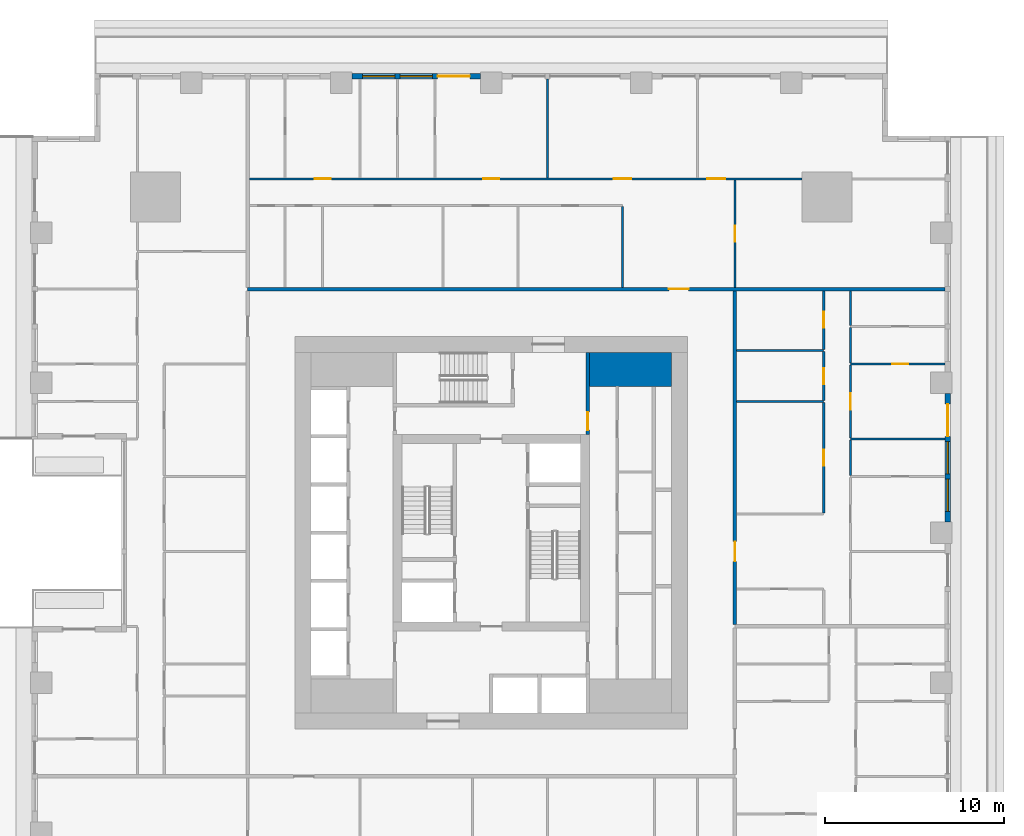
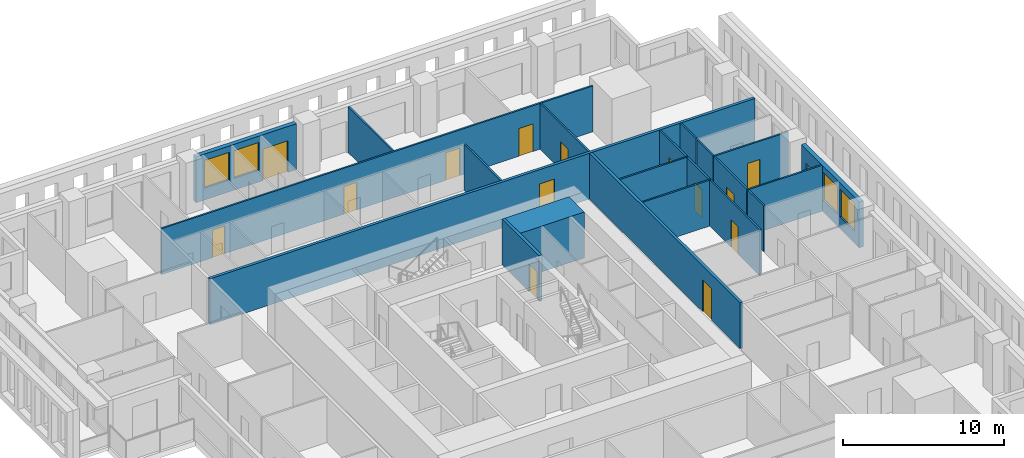
# One storey, part 8 of 14: 21 walls, 15 doors, 4 windows, 19 openings.
"""IFC4 building model written with IfcOpenShell, lengths in metres."""

import ifcopenshell
import ifcopenshell.guid

model = None  # the IFC model being written
_history = None  # IfcOwnerHistory: only IFC2X3 demands one
_inside = {}  # id of a spatial element -> (the spatial element, [elements in it])
_under = {}  # id of a project, library or spatial element -> (it, [spatial elements below it])
_declared = {}  # id of a project -> (the project, [libraries it declares])
_typed = {}  # id of a type object -> (the type object, [elements of that type])
_made_of = {}  # id of a material, layer set ... -> (it, [elements and type objects made of it])


def new_model(schema):
    """Start an empty IFC model of exactly this schema.

    Asked for "IFC4X3", IfcOpenShell would pick the latest addendum, in which some entities
    have other attributes; the version numbers below select the first issue.
    IFC2X3 requires an IfcOwnerHistory on every rooted entity: one is made here for all.
    """
    global model, _history
    if schema == "IFC4X3":
        model = ifcopenshell.file(schema_version=(4, 3, 0, 0))
    else:
        model = ifcopenshell.file(schema=schema)
    _inside.clear()
    _under.clear()
    _declared.clear()
    _typed.clear()
    _made_of.clear()
    _history = None
    if model.schema == "IFC2X3":
        org = make("IfcOrganization", Name="unknown")
        user = make(
            "IfcPersonAndOrganization",
            ThePerson=make("IfcPerson", FamilyName="unknown"),
            TheOrganization=org,
        )
        app = make(
            "IfcApplication",
            ApplicationDeveloper=org,
            Version="unknown",
            ApplicationFullName="unknown",
            ApplicationIdentifier="unknown",
        )
        _history = make(
            "IfcOwnerHistory",
            OwningUser=user,
            OwningApplication=app,
            ChangeAction="ADDED",
            CreationDate=0,
        )
    return model


def make(cls, **values):
    """One entity of the class cls with the attributes given. An attribute that is None is left unset."""
    return model.create_entity(
        cls, **{name: value for name, value in values.items() if value is not None}
    )


def rooted(cls, **values):
    """An entity with a GlobalId (a new one), such as an element, a storey or a relation."""
    return make(cls, GlobalId=ifcopenshell.guid.new(), OwnerHistory=_history, **values)


def si_unit(unit_type, name, prefix=None):
    """IfcSIUnit, for example si_unit("LENGTHUNIT", "METRE", prefix="MILLI")."""
    return make("IfcSIUnit", UnitType=unit_type, Prefix=prefix, Name=name)


def assignment(units):
    """IfcUnitAssignment: the units of a project."""
    return None if units is None else make("IfcUnitAssignment", Units=units)


def point(xyz):
    """IfcCartesianPoint."""
    return None if xyz is None else make("IfcCartesianPoint", Coordinates=xyz)


def direction(xyz):
    """IfcDirection."""
    return None if xyz is None else make("IfcDirection", DirectionRatios=xyz)


def frame(location, z_axis=None, x_axis=None):
    """IfcAxis2Placement3D, a coordinate frame: its origin and axes. An axis left out is left unset."""
    return make(
        "IfcAxis2Placement3D",
        Location=point(location),
        Axis=direction(z_axis),
        RefDirection=direction(x_axis),
    )


def frame_2d(location, x_axis=None):
    """IfcAxis2Placement2D, a coordinate frame in the plane: its origin and x axis."""
    return make(
        "IfcAxis2Placement2D", Location=point(location), RefDirection=direction(x_axis)
    )


def origin():
    """The frame at (0, 0, 0) with its axes left unset."""
    return frame((0.0, 0.0, 0.0))


def place(relative_to, where):
    """IfcLocalPlacement: puts the frame where relative to a parent placement (None: the world)."""
    return make(
        "IfcLocalPlacement", PlacementRelTo=relative_to, RelativePlacement=where
    )


def context(
    kind, dimensions, precision=None, world=None, true_north=None, identifier=None
):
    """IfcGeometricRepresentationContext, for example the 3D "Model" context."""
    return make(
        "IfcGeometricRepresentationContext",
        ContextIdentifier=identifier,
        ContextType=kind,
        CoordinateSpaceDimension=dimensions,
        Precision=precision,
        WorldCoordinateSystem=world,
        TrueNorth=true_north,
    )


def subcontext(parent, identifier, kind, view, scale=None):
    """IfcGeometricRepresentationSubContext, for example "Body" below "Model"."""
    return make(
        "IfcGeometricRepresentationSubContext",
        ContextIdentifier=identifier,
        ContextType=kind,
        ParentContext=parent,
        TargetScale=scale,
        TargetView=view,
    )


def project(units=None, contexts=None):
    """IfcProject with its units and contexts."""
    return rooted(
        "IfcProject",
        Name="project",
        RepresentationContexts=contexts,
        UnitsInContext=assignment(units),
    )


def spatial(cls, under=None, at=None, **own):
    """A site, building, storey or space (cls), placed at a placement, below another one or the project."""
    s = rooted(cls, ObjectPlacement=at, **own)
    if under is not None:
        _under.setdefault(under.id(), (under, []))[1].append(s)
    return s


def profile(cls, at=None, kind="AREA", **sizes):
    """A parametric profile (cls). Its sizes go by their IFC names, for example OverallWidth=200.0."""
    return make(cls, ProfileType=kind, Position=at, **sizes)


def rectangle(**sizes):
    """IfcRectangleProfileDef."""
    return profile("IfcRectangleProfileDef", **sizes)


def extrude(swept, where, along, depth):
    """IfcExtrudedAreaSolid: the profile swept, set in the frame where, extruded along a direction by depth."""
    return make(
        "IfcExtrudedAreaSolid",
        SweptArea=swept,
        Position=where,
        ExtrudedDirection=direction(along),
        Depth=depth,
    )


def shape(context_of_items, identifier, shape_type, items):
    """IfcShapeRepresentation: the items that make up one representation, for example the "Body"."""
    return make(
        "IfcShapeRepresentation",
        ContextOfItems=context_of_items,
        RepresentationIdentifier=identifier,
        RepresentationType=shape_type,
        Items=items,
    )


def material(Name=None, Category=None):
    """IfcMaterial."""
    return make("IfcMaterial", Name=Name, Category=Category)


def layer(
    of_material, thickness, ventilated=None, Name=None, Category=None, Priority=None
):
    """IfcMaterialLayer: one layer of a wall or slab, of a material (None: an air gap)."""
    return make(
        "IfcMaterialLayer",
        Material=of_material,
        LayerThickness=thickness,
        IsVentilated=ventilated,
        Name=Name,
        Category=Category,
        Priority=Priority,
    )


def layer_set(layers, Name=None):
    """IfcMaterialLayerSet."""
    return make("IfcMaterialLayerSet", MaterialLayers=layers, LayerSetName=Name)


def made_of(thing, what):
    """Note that an element or type object is made of a material, layer set ...; save() writes the relation."""
    if what is not None:
        _made_of.setdefault(what.id(), (what, []))[1].append(thing)
    return thing


def type_object(cls, material=None, **own):
    """A type object (cls), such as IfcWallType, which elements share."""
    return made_of(rooted(cls, **own), material)


def element(
    cls,
    number,
    at=None,
    inside=None,
    cuts=None,
    type_object=None,
    material=None,
    context=None,
    identifier="Body",
    shape_type=None,
    held_by="IfcProductDefinitionShape",
    body=None,
    shapes=None,
    **own,
):
    """One element of the class cls, such as IfcWall. Its Tag is "e" and its number.

    at: its placement. inside: the storey or other place that contains it. cuts: it is an
    opening in that element (IfcRelVoidsElement). A single representation is given by context,
    identifier, shape_type and body (its items); several are given by shapes. held_by: the class
    of the entity that holds the representations. save() writes the other relations.
    """
    e = rooted(cls, Tag="e%d" % number, ObjectPlacement=at, **own)
    if body is not None:
        shapes = [shape(context, identifier, shape_type, body)]
    if shapes is not None:
        e.Representation = make(held_by, Representations=shapes)
    if inside is not None:
        _inside.setdefault(inside.id(), (inside, []))[1].append(e)
    if cuts is not None:
        rooted(
            "IfcRelVoidsElement", RelatingBuildingElement=cuts, RelatedOpeningElement=e
        )
    if type_object is not None:
        _typed.setdefault(type_object.id(), (type_object, []))[1].append(e)
    return made_of(e, material)


def fill(opening, filler):
    """IfcRelFillsElement: the door or window that sits in an opening."""
    return rooted(
        "IfcRelFillsElement",
        RelatingOpeningElement=opening,
        RelatedBuildingElement=filler,
    )


def aggregate(whole, parts):
    """IfcRelAggregates: a whole, such as a stair, and the parts it consists of."""
    return rooted("IfcRelAggregates", RelatingObject=whole, RelatedObjects=parts)


def save(model, path):
    """Write the relations noted so far, then the file.

    IfcRelAggregates (storeys below a building ...), IfcRelContainedInSpatialStructure (elements
    in a storey), IfcRelDefinesByType, IfcRelAssociatesMaterial and IfcRelDeclares: one each for
    every whole, place, type object, material and project.
    """
    for whole, parts in _under.values():
        aggregate(whole, parts)
    for where, things in _inside.values():
        rooted(
            "IfcRelContainedInSpatialStructure",
            RelatedElements=things,
            RelatingStructure=where,
        )
    for kind, things in _typed.values():
        rooted("IfcRelDefinesByType", RelatedObjects=things, RelatingType=kind)
    for what, things in _made_of.values():
        rooted("IfcRelAssociatesMaterial", RelatedObjects=things, RelatingMaterial=what)
    for by, libraries in _declared.values():
        rooted("IfcRelDeclares", RelatingContext=by, RelatedDefinitions=libraries)
    model.write(path)


model = new_model("IFC4")

# Units and contexts
model_context = context("Model", 3, precision=1e-05, world=origin(), true_north=direction((0.0, 1.0)))
body_context = subcontext(model_context, "Body", "Model", "MODEL_VIEW")
ifc_project = project(units=[si_unit("LENGTHUNIT", "METRE"), si_unit("AREAUNIT", "SQUARE_METRE"), si_unit("VOLUMEUNIT", "CUBIC_METRE"), si_unit("PLANEANGLEUNIT", "RADIAN"), si_unit("MASSUNIT", "GRAM", prefix="KILO")], contexts=[model_context])

# Site, building, storey
site_placement = place(None, origin())
site = spatial("IfcSite", under=ifc_project, at=site_placement, CompositionType="ELEMENT")
building_placement = place(site_placement, origin())
building = spatial("IfcBuilding", under=site, at=building_placement, Name="Khepri Terraces", CompositionType="ELEMENT")
storey_placement = place(building_placement, frame((0.0, 0.0, 87.0)))
storey = spatial("IfcBuildingStorey", under=building, at=storey_placement, Name="L20", CompositionType="ELEMENT", Elevation=87.0)

# Wall
ifc_material_1 = material(Name="Concrete C70/85", Category="concrete")
ifc_layer_1 = layer(ifc_material_1, 1.89990234375, Name="Concrete C70/85", Category="concrete")
ifc_layer_set_1 = layer_set([ifc_layer_1], Name="Concrete C70/85")
wall_type_1 = type_object("IfcWallType", Name="Core wall 1900 C70/85", PredefinedType="SHEAR", material=ifc_layer_set_1)
wall_1_placement = place(storey_placement, frame((5.5, 9.14990234375, 0.0), z_axis=(0.0, 0.0, 1.0), x_axis=(1.0, 0.0, 0.0)))
element("IfcWall", 1, at=wall_1_placement, inside=storey, type_object=wall_type_1, Name="Core wall PR04 L20", PredefinedType="SHEAR", context=body_context, shape_type="SweptSolid", body=[
    extrude(rectangle(XDim=4.60009765625, YDim=1.89990234375, at=frame_2d((2.300048828125, 0.0))), origin(), (0.0, 0.0, 1.0), 3.47998046875),
])

# Wall, opening, door
ifc_material_2 = material(Name="Fire-rated gypsum board partition")
ifc_layer_2 = layer(ifc_material_2, 0.199951171875, Name="Fire-rated gypsum board partition")
ifc_layer_set_2 = layer_set([ifc_layer_2], Name="Fire-rated gypsum board partition")
wall_type_2 = type_object("IfcWallType", Name="WL-CORE-PART-200", PredefinedType="PARTITIONING", material=ifc_layer_set_2)
wall_2_placement = place(storey_placement, frame((5.39990234375, 5.5, 0.0), z_axis=(0.0, 0.0, 1.0), x_axis=(0.0, 1.0, 0.0)))
wall_2 = element("IfcWall", 2, at=wall_2_placement, inside=storey, type_object=wall_type_2, Name="Core partition PT08 L20", PredefinedType="PARTITIONING", context=body_context, shape_type="SweptSolid", body=[
    extrude(rectangle(XDim=4.60009765625, YDim=0.199951171875, at=frame_2d((2.300048828125, 0.0))), origin(), (0.0, 0.0, 1.0), 3.47998046875),
])
opening_1_placement = place(wall_2_placement, frame((0.25, 0.0, 0.0)))
opening_1 = element("IfcOpeningElement", 3, at=opening_1_placement, cuts=wall_2, Name="Opening L20-C17", PredefinedType="OPENING", context=body_context, shape_type="SweptSolid", body=[
    extrude(rectangle(XDim=1.0, YDim=2.10009765625, at=frame_2d((0.5, 1.050048828125))), frame((0.0, 0.10986328125, 0.0), z_axis=(0.0, -1.0, 0.0), x_axis=(1.0, 0.0, 0.0)), (0.0, 0.0, 1.0), 0.219970703125),
])
ifc_material_3 = material(Name="Painted steel", Category="steel")
door_type_1 = type_object("IfcDoorType", Name="DR-CORE-LOBBY-1000", OperationType="NOTDEFINED", PredefinedType="DOOR", material=ifc_material_3)
door_1_placement = place(opening_1_placement, origin())
door_1 = element("IfcDoor", 4, at=door_1_placement, inside=storey, type_object=door_type_1, Name="Lobby door L20-C17", OperationType="SINGLE_SWING_LEFT", OverallHeight=2.10009765625, OverallWidth=1.0, PredefinedType="DOOR", context=body_context, shape_type="SweptSolid", body=[
    extrude(rectangle(XDim=1.0, YDim=2.10009765625, at=frame_2d((0.5, 1.050048828125))), frame((0.0, 0.02490234375, 0.0), z_axis=(0.0, -1.0, 0.0), x_axis=(1.0, 0.0, 0.0)), (0.0, 0.0, 1.0), 0.050048828125),
])
fill(opening_1, door_1)

ifc_material_4 = material(Name="Fire-rated gypsum plasterboard partition, mineral wool")
ifc_layer_3 = layer(ifc_material_4, 0.199951171875, Name="Fire-rated gypsum plasterboard partition, mineral wool")
ifc_layer_set_3 = layer_set([ifc_layer_3], Name="Fire-rated gypsum plasterboard partition, mineral wool")
wall_type_3 = type_object("IfcWallType", Name="WL-CORR-200", PredefinedType="PARTITIONING", material=ifc_layer_set_3)
wall_3_placement = place(storey_placement, frame((13.64990234375, -5.14990234375, 0.0), z_axis=(0.0, 0.0, 1.0), x_axis=(0.0, 1.0, 0.0)))
wall_3 = element("IfcWall", 5, at=wall_3_placement, inside=storey, type_object=wall_type_3, Name="Partition P-042 L20", PredefinedType="PARTITIONING", context=body_context, shape_type="SweptSolid", body=[
    extrude(rectangle(XDim=18.699951171875, YDim=0.199951171875, at=frame_2d((9.35009765625, 0.0))), origin(), (0.0, 0.0, 1.0), 3.47998046875),
])
opening_2_placement = place(wall_3_placement, frame((3.550048828125, 0.0, 0.0)))
opening_2 = element("IfcOpeningElement", 6, at=opening_2_placement, cuts=wall_3, Name="Opening D1", PredefinedType="OPENING", context=body_context, shape_type="SweptSolid", body=[
    extrude(rectangle(XDim=1.10009765625, YDim=2.39990234375, at=frame_2d((0.550048828125, 1.199951171875))), frame((0.0, 0.10986328125, 0.0), z_axis=(0.0, -1.0, 0.0), x_axis=(1.0, 0.0, 0.0)), (0.0, 0.0, 1.0), 0.219970703125),
])
ifc_material_5 = material(Name="Solid-core timber door leaf, flat entrance door", Category="wood")
door_type_2 = type_object("IfcDoorType", Name="DR-ENT-1100", OperationType="NOTDEFINED", PredefinedType="DOOR", material=ifc_material_5)
door_2_placement = place(opening_2_placement, frame((1.10009765625, 0.0, 0.0), z_axis=(0.0, 0.0, 1.0), x_axis=(-1.0, 0.0, 0.0)))
door_2 = element("IfcDoor", 7, at=door_2_placement, inside=storey, type_object=door_type_2, Name="Flat B2 entrance door", OperationType="SINGLE_SWING_RIGHT", OverallHeight=2.39990234375, OverallWidth=1.10009765625, PredefinedType="DOOR", context=body_context, shape_type="SweptSolid", body=[
    extrude(rectangle(XDim=1.10009765625, YDim=2.39990234375, at=frame_2d((0.550048828125, 1.199951171875))), frame((0.0, 0.02490234375, 0.0), z_axis=(0.0, -1.0, 0.0), x_axis=(1.0, 0.0, 0.0)), (0.0, 0.0, 1.0), 0.050048828125),
])
fill(opening_2, door_2)

wall_4_placement = place(storey_placement, frame((-13.64990234375, 13.64990234375, 0.0), z_axis=(0.0, 0.0, 1.0), x_axis=(1.0, 0.0, 0.0)))
wall_4 = element("IfcWall", 8, at=wall_4_placement, inside=storey, type_object=wall_type_3, Name="Partition P-074 L20", PredefinedType="PARTITIONING", context=body_context, shape_type="SweptSolid", body=[
    extrude(rectangle(XDim=39.06982421875, YDim=0.199951171875, at=frame_2d((19.534912109375, 0.0))), origin(), (0.0, 0.0, 1.0), 3.47998046875),
])
opening_3_placement = place(wall_4_placement, frame((23.60009765625, 0.0, 0.0)))
opening_3 = element("IfcOpeningElement", 9, at=opening_3_placement, cuts=wall_4, Name="Opening D1", PredefinedType="OPENING", context=body_context, shape_type="SweptSolid", body=[
    extrude(rectangle(XDim=1.10009765625, YDim=2.39990234375, at=frame_2d((0.550048828125, 1.199951171875))), frame((0.0, 0.10986328125, 0.0), z_axis=(0.0, -1.0, 0.0), x_axis=(1.0, 0.0, 0.0)), (0.0, 0.0, 1.0), 0.219970703125),
])
door_3_placement = place(opening_3_placement, origin())
door_3 = element("IfcDoor", 10, at=door_3_placement, inside=storey, type_object=door_type_2, Name="Flat C1 entrance door", OperationType="SINGLE_SWING_RIGHT", OverallHeight=2.39990234375, OverallWidth=1.10009765625, PredefinedType="DOOR", context=body_context, shape_type="SweptSolid", body=[
    extrude(rectangle(XDim=1.10009765625, YDim=2.39990234375, at=frame_2d((0.550048828125, 1.199951171875))), frame((0.0, 0.02490234375, 0.0), z_axis=(0.0, -1.0, 0.0), x_axis=(1.0, 0.0, 0.0)), (0.0, 0.0, 1.0), 0.050048828125),
])
fill(opening_3, door_3)

# Wall, openings, door, windows
ifc_material_6 = material(Name="Precast concrete C50/60 warm stone", Category="masonry")
ifc_layer_4 = layer(ifc_material_6, 0.300048828125, Name="Precast concrete C50/60 warm stone", Category="masonry")
ifc_layer_set_4 = layer_set([ifc_layer_4], Name="Precast concrete C50/60 warm stone")
wall_type_4 = type_object("IfcWallType", Name="WL-EXT-PRECAST-300", PredefinedType="STANDARD", material=ifc_layer_set_4)
wall_5_placement = place(storey_placement, frame((25.570068359375, 0.60009765625, 0.0), z_axis=(0.0, 0.0, 1.0), x_axis=(0.0, 1.0, 0.0)))
wall_5 = element("IfcWall", 11, at=wall_5_placement, inside=storey, type_object=wall_type_4, Name="External wall L20 E", PredefinedType="STANDARD", context=body_context, shape_type="SweptSolid", body=[
    extrude(rectangle(XDim=7.199951171875, YDim=0.300048828125, at=frame_2d((3.60009765625, 0.0))), origin(), (0.0, 0.0, 1.0), 3.47998046875),
])
opening_4_placement = place(wall_5_placement, frame((0.60009765625, 0.0, 0.89990234375)))
opening_4 = element("IfcOpeningElement", 12, at=opening_4_placement, cuts=wall_5, Name="Opening W1", PredefinedType="OPENING", context=body_context, shape_type="SweptSolid", body=[
    extrude(rectangle(XDim=1.800048828125, YDim=2.10009765625, at=frame_2d((0.89990234375, 1.050048828125))), frame((0.0, 0.16015625, 0.0), z_axis=(0.0, -1.0, 0.0), x_axis=(1.0, 0.0, 0.0)), (0.0, 0.0, 1.0), 0.320068359375),
])
opening_5_placement = place(wall_5_placement, frame((2.699951171875, 0.0, 0.89990234375)))
opening_5 = element("IfcOpeningElement", 13, at=opening_5_placement, cuts=wall_5, Name="Opening W1", PredefinedType="OPENING", context=body_context, shape_type="SweptSolid", body=[
    extrude(rectangle(XDim=1.800048828125, YDim=2.10009765625, at=frame_2d((0.89990234375, 1.050048828125))), frame((0.0, 0.16015625, 0.0), z_axis=(0.0, -1.0, 0.0), x_axis=(1.0, 0.0, 0.0)), (0.0, 0.0, 1.0), 0.320068359375),
])
opening_6_placement = place(wall_5_placement, frame((4.800048828125, 0.0, 0.0)))
opening_6 = element("IfcOpeningElement", 14, at=opening_6_placement, cuts=wall_5, Name="Opening ED-L20-05", PredefinedType="OPENING", context=body_context, shape_type="SweptSolid", body=[
    extrude(rectangle(XDim=1.800048828125, YDim=2.39990234375, at=frame_2d((0.89990234375, 1.199951171875))), frame((0.0, 0.16015625, 0.0), z_axis=(0.0, -1.0, 0.0), x_axis=(1.0, 0.0, 0.0)), (0.0, 0.0, 1.0), 0.320068359375),
])
ifc_material_7 = material(Name="Anodised aluminium bronze glazed door", Category="aluminium")
door_type_3 = type_object("IfcDoorType", Name="DR-BAL-SLIDE-1800x2400", OperationType="NOTDEFINED", PredefinedType="DOOR", material=ifc_material_7)
door_4_placement = place(opening_6_placement, origin())
door_4 = element("IfcDoor", 15, at=door_4_placement, inside=storey, type_object=door_type_3, Name="Balcony door L20 E", OperationType="SLIDING_TO_RIGHT", OverallHeight=2.39990234375, OverallWidth=1.800048828125, PredefinedType="DOOR", context=body_context, shape_type="SweptSolid", body=[
    extrude(rectangle(XDim=1.800048828125, YDim=2.39990234375, at=frame_2d((0.89990234375, 1.199951171875))), frame((0.0, 0.02490234375, 0.0), z_axis=(0.0, -1.0, 0.0), x_axis=(1.0, 0.0, 0.0)), (0.0, 0.0, 1.0), 0.050048828125),
])
fill(opening_6, door_4)
ifc_material_8 = material(Name="Clear glass", Category="glass")
window_type = type_object("IfcWindowType", Name="WIN-RES-1800x2100", PartitioningType="SINGLE_PANEL", PredefinedType="WINDOW", material=ifc_material_8)
window_1_placement = place(opening_4_placement, origin())
window_1 = element("IfcWindow", 16, at=window_1_placement, inside=storey, type_object=window_type, Name="Window L20 E", OverallHeight=2.10009765625, OverallWidth=1.800048828125, PartitioningType="SINGLE_PANEL", PredefinedType="WINDOW", context=body_context, shape_type="SweptSolid", body=[
    extrude(rectangle(XDim=1.800048828125, YDim=2.10009765625, at=frame_2d((0.89990234375, 1.050048828125))), frame((0.0, 0.030029296875, 0.0), z_axis=(0.0, -1.0, 0.0), x_axis=(1.0, 0.0, 0.0)), (0.0, 0.0, 1.0), 0.06005859375),
])
fill(opening_4, window_1)
window_2_placement = place(opening_5_placement, origin())
window_2 = element("IfcWindow", 17, at=window_2_placement, inside=storey, type_object=window_type, Name="Window L20 E", OverallHeight=2.10009765625, OverallWidth=1.800048828125, PartitioningType="SINGLE_PANEL", PredefinedType="WINDOW", context=body_context, shape_type="SweptSolid", body=[
    extrude(rectangle(XDim=1.800048828125, YDim=2.10009765625, at=frame_2d((0.89990234375, 1.050048828125))), frame((0.0, 0.030029296875, 0.0), z_axis=(0.0, -1.0, 0.0), x_axis=(1.0, 0.0, 0.0)), (0.0, 0.0, 1.0), 0.06005859375),
])
fill(opening_5, window_2)

wall_6_placement = place(storey_placement, frame((-0.60009765625, 25.570068359375, 0.0), z_axis=(0.0, 0.0, 1.0), x_axis=(-1.0, 0.0, 0.0)))
wall_6 = element("IfcWall", 18, at=wall_6_placement, inside=storey, type_object=wall_type_4, Name="External wall L20 N", PredefinedType="STANDARD", context=body_context, shape_type="SweptSolid", body=[
    extrude(rectangle(XDim=7.199951171875, YDim=0.300048828125, at=frame_2d((3.60009765625, 0.0))), origin(), (0.0, 0.0, 1.0), 3.47998046875),
])
opening_7_placement = place(wall_6_placement, frame((0.60009765625, 0.0, 0.0)))
opening_7 = element("IfcOpeningElement", 19, at=opening_7_placement, cuts=wall_6, Name="Opening ED-L20-12", PredefinedType="OPENING", context=body_context, shape_type="SweptSolid", body=[
    extrude(rectangle(XDim=1.800048828125, YDim=2.39990234375, at=frame_2d((0.89990234375, 1.199951171875))), frame((0.0, 0.16015625, 0.0), z_axis=(0.0, -1.0, 0.0), x_axis=(1.0, 0.0, 0.0)), (0.0, 0.0, 1.0), 0.320068359375),
])
opening_8_placement = place(wall_6_placement, frame((2.699951171875, 0.0, 0.89990234375)))
opening_8 = element("IfcOpeningElement", 20, at=opening_8_placement, cuts=wall_6, Name="Opening W1", PredefinedType="OPENING", context=body_context, shape_type="SweptSolid", body=[
    extrude(rectangle(XDim=1.800048828125, YDim=2.10009765625, at=frame_2d((0.89990234375, 1.050048828125))), frame((0.0, 0.16015625, 0.0), z_axis=(0.0, -1.0, 0.0), x_axis=(1.0, 0.0, 0.0)), (0.0, 0.0, 1.0), 0.320068359375),
])
opening_9_placement = place(wall_6_placement, frame((4.800048828125, 0.0, 0.89990234375)))
opening_9 = element("IfcOpeningElement", 21, at=opening_9_placement, cuts=wall_6, Name="Opening W1", PredefinedType="OPENING", context=body_context, shape_type="SweptSolid", body=[
    extrude(rectangle(XDim=1.800048828125, YDim=2.10009765625, at=frame_2d((0.89990234375, 1.050048828125))), frame((0.0, 0.16015625, 0.0), z_axis=(0.0, -1.0, 0.0), x_axis=(1.0, 0.0, 0.0)), (0.0, 0.0, 1.0), 0.320068359375),
])
door_5_placement = place(opening_7_placement, origin())
door_5 = element("IfcDoor", 22, at=door_5_placement, inside=storey, type_object=door_type_3, Name="Balcony door L20 N", OperationType="SLIDING_TO_LEFT", OverallHeight=2.39990234375, OverallWidth=1.800048828125, PredefinedType="DOOR", context=body_context, shape_type="SweptSolid", body=[
    extrude(rectangle(XDim=1.800048828125, YDim=2.39990234375, at=frame_2d((0.89990234375, 1.199951171875))), frame((0.0, 0.02490234375, 0.0), z_axis=(0.0, -1.0, 0.0), x_axis=(1.0, 0.0, 0.0)), (0.0, 0.0, 1.0), 0.050048828125),
])
fill(opening_7, door_5)
window_3_placement = place(opening_8_placement, origin())
window_3 = element("IfcWindow", 23, at=window_3_placement, inside=storey, type_object=window_type, Name="Window L20 N", OverallHeight=2.10009765625, OverallWidth=1.800048828125, PartitioningType="SINGLE_PANEL", PredefinedType="WINDOW", context=body_context, shape_type="SweptSolid", body=[
    extrude(rectangle(XDim=1.800048828125, YDim=2.10009765625, at=frame_2d((0.89990234375, 1.050048828125))), frame((0.0, 0.030029296875, 0.0), z_axis=(0.0, -1.0, 0.0), x_axis=(1.0, 0.0, 0.0)), (0.0, 0.0, 1.0), 0.06005859375),
])
fill(opening_8, window_3)
window_4_placement = place(opening_9_placement, origin())
window_4 = element("IfcWindow", 24, at=window_4_placement, inside=storey, type_object=window_type, Name="Window L20 N", OverallHeight=2.10009765625, OverallWidth=1.800048828125, PartitioningType="SINGLE_PANEL", PredefinedType="WINDOW", context=body_context, shape_type="SweptSolid", body=[
    extrude(rectangle(XDim=1.800048828125, YDim=2.10009765625, at=frame_2d((0.89990234375, 1.050048828125))), frame((0.0, 0.030029296875, 0.0), z_axis=(0.0, -1.0, 0.0), x_axis=(1.0, 0.0, 0.0)), (0.0, 0.0, 1.0), 0.06005859375),
])
fill(opening_9, window_4)

# Wall, opening, door
ifc_material_9 = material(Name="Gypsum plasterboard partition")
ifc_layer_5 = layer(ifc_material_9, 0.1201171875, Name="Gypsum plasterboard partition")
ifc_layer_set_5 = layer_set([ifc_layer_5], Name="Gypsum plasterboard partition")
wall_type_5 = type_object("IfcWallType", Name="WL-PART-120", PredefinedType="PARTITIONING", material=ifc_layer_set_5)
wall_7_placement = place(storey_placement, frame((18.6201171875, 1.110107421875, 0.0), z_axis=(0.0, 0.0, 1.0), x_axis=(0.0, 1.0, 0.0)))
wall_7 = element("IfcWall", 25, at=wall_7_placement, inside=storey, type_object=wall_type_5, Name="Partition P-051 L20", PredefinedType="PARTITIONING", context=body_context, shape_type="SweptSolid", body=[
    extrude(rectangle(XDim=6.179931640625, YDim=0.1201171875, at=frame_2d((3.08984375, 0.0))), origin(), (0.0, 0.0, 1.0), 3.47998046875),
])
opening_10_placement = place(wall_7_placement, frame((2.639892578125, 0.0, 0.0)))
opening_10 = element("IfcOpeningElement", 26, at=opening_10_placement, cuts=wall_7, Name="Opening D3", PredefinedType="OPENING", context=body_context, shape_type="SweptSolid", body=[
    extrude(rectangle(XDim=0.89990234375, YDim=2.10009765625, at=frame_2d((0.449951171875, 1.050048828125))), frame((0.0, 0.070068359375, 0.0), z_axis=(0.0, -1.0, 0.0), x_axis=(1.0, 0.0, 0.0)), (0.0, 0.0, 1.0), 0.14013671875),
])
ifc_material_10 = material(Name="Timber door leaf", Category="wood")
door_type_4 = type_object("IfcDoorType", Name="DR-INT-900", OperationType="NOTDEFINED", PredefinedType="DOOR", material=ifc_material_10)
door_6_placement = place(opening_10_placement, origin())
door_6 = element("IfcDoor", 27, at=door_6_placement, inside=storey, type_object=door_type_4, Name="Door Kitchen", OperationType="SINGLE_SWING_LEFT", OverallHeight=2.10009765625, OverallWidth=0.89990234375, PredefinedType="DOOR", context=body_context, shape_type="SweptSolid", body=[
    extrude(rectangle(XDim=0.89990234375, YDim=2.10009765625, at=frame_2d((0.449951171875, 1.050048828125))), frame((0.0, 0.02490234375, 0.0), z_axis=(0.0, -1.0, 0.0), x_axis=(1.0, 0.0, 0.0)), (0.0, 0.0, 1.0), 0.050048828125),
])
fill(opening_10, door_6)

# Walls
wall_8_placement = place(storey_placement, frame((20.1201171875, 3.2099609375, 0.0), z_axis=(0.0, 0.0, 1.0), x_axis=(0.0, 1.0, 0.0)))
element("IfcWall", 28, at=wall_8_placement, inside=storey, type_object=wall_type_5, Name="Partition P-055 L20", PredefinedType="PARTITIONING", context=body_context, shape_type="SweptSolid", body=[
    extrude(rectangle(XDim=1.97998046875, YDim=0.1201171875, at=frame_2d((0.989990234375, 0.0))), origin(), (0.0, 0.0, 1.0), 3.47998046875),
])
wall_9_placement = place(storey_placement, frame((20.1201171875, 5.25, 0.0), z_axis=(0.0, 0.0, 1.0), x_axis=(1.0, 0.0, 0.0)))
element("IfcWall", 29, at=wall_9_placement, inside=storey, type_object=wall_type_5, Name="Partition P-057 L20", PredefinedType="PARTITIONING", context=body_context, shape_type="SweptSolid", body=[
    extrude(rectangle(XDim=5.2998046875, YDim=0.1201171875, at=frame_2d((2.64990234375, 0.0))), origin(), (0.0, 0.0, 1.0), 3.47998046875),
])

# Wall, opening, door
wall_10_placement = place(storey_placement, frame((20.1201171875, 5.31005859375, 0.0), z_axis=(0.0, 0.0, 1.0), x_axis=(0.0, 1.0, 0.0)))
wall_10 = element("IfcWall", 30, at=wall_10_placement, inside=storey, type_object=wall_type_5, Name="Partition P-059 L20", PredefinedType="PARTITIONING", context=body_context, shape_type="SweptSolid", body=[
    extrude(rectangle(XDim=4.079833984375, YDim=0.1201171875, at=frame_2d((2.0400390625, 0.0))), origin(), (0.0, 0.0, 1.0), 3.47998046875),
])
opening_11_placement = place(wall_10_placement, frame((1.590087890625, 0.0, 0.0)))
opening_11 = element("IfcOpeningElement", 31, at=opening_11_placement, cuts=wall_10, Name="Opening D3", PredefinedType="OPENING", context=body_context, shape_type="SweptSolid", body=[
    extrude(rectangle(XDim=0.89990234375, YDim=2.10009765625, at=frame_2d((0.449951171875, 1.050048828125))), frame((0.0, 0.070068359375, 0.0), z_axis=(0.0, -1.0, 0.0), x_axis=(1.0, 0.0, 0.0)), (0.0, 0.0, 1.0), 0.14013671875),
])
door_7_placement = place(opening_11_placement, frame((0.89990234375, 0.0, 0.0), z_axis=(0.0, 0.0, 1.0), x_axis=(-1.0, 0.0, 0.0)))
door_7 = element("IfcDoor", 32, at=door_7_placement, inside=storey, type_object=door_type_4, Name="Door Master Bedroom", OperationType="SINGLE_SWING_RIGHT", OverallHeight=2.10009765625, OverallWidth=0.89990234375, PredefinedType="DOOR", context=body_context, shape_type="SweptSolid", body=[
    extrude(rectangle(XDim=0.89990234375, YDim=2.10009765625, at=frame_2d((0.449951171875, 1.050048828125))), frame((0.0, 0.02490234375, 0.0), z_axis=(0.0, -1.0, 0.0), x_axis=(1.0, 0.0, 0.0)), (0.0, 0.0, 1.0), 0.050048828125),
])
fill(opening_11, door_7)

# Wall
wall_11_placement = place(storey_placement, frame((13.75, 7.35009765625, 0.0), z_axis=(0.0, 0.0, 1.0), x_axis=(1.0, 0.0, 0.0)))
element("IfcWall", 33, at=wall_11_placement, inside=storey, type_object=wall_type_5, Name="Partition P-061 L20", PredefinedType="PARTITIONING", context=body_context, shape_type="SweptSolid", body=[
    extrude(rectangle(XDim=4.8701171875, YDim=0.1201171875, at=frame_2d((2.43505859375, 0.0))), origin(), (0.0, 0.0, 1.0), 3.47998046875),
])

# Wall, opening, door
wall_12_placement = place(storey_placement, frame((18.6201171875, 7.409912109375, 0.0), z_axis=(0.0, 0.0, 1.0), x_axis=(0.0, 1.0, 0.0)))
wall_12 = element("IfcWall", 34, at=wall_12_placement, inside=storey, type_object=wall_type_5, Name="Partition P-063 L20", PredefinedType="PARTITIONING", context=body_context, shape_type="SweptSolid", body=[
    extrude(rectangle(XDim=2.72998046875, YDim=0.1201171875, at=frame_2d((1.364990234375, 0.0))), origin(), (0.0, 0.0, 1.0), 3.47998046875),
])
opening_12_placement = place(wall_12_placement, frame((0.9150390625, 0.0, 0.0)))
opening_12 = element("IfcOpeningElement", 35, at=opening_12_placement, cuts=wall_12, Name="Opening D4", PredefinedType="OPENING", context=body_context, shape_type="SweptSolid", body=[
    extrude(rectangle(XDim=0.89990234375, YDim=2.10009765625, at=frame_2d((0.449951171875, 1.050048828125))), frame((0.0, 0.070068359375, 0.0), z_axis=(0.0, -1.0, 0.0), x_axis=(1.0, 0.0, 0.0)), (0.0, 0.0, 1.0), 0.14013671875),
])
ifc_material_11 = material(Name="Timber door leaf, moisture resistant", Category="wood")
door_type_5 = type_object("IfcDoorType", Name="DR-WET-900", OperationType="NOTDEFINED", PredefinedType="DOOR", material=ifc_material_11)
door_8_placement = place(opening_12_placement, origin())
door_8 = element("IfcDoor", 36, at=door_8_placement, inside=storey, type_object=door_type_5, Name="Door Powder Room", OperationType="SINGLE_SWING_LEFT", OverallHeight=2.10009765625, OverallWidth=0.89990234375, PredefinedType="DOOR", context=body_context, shape_type="SweptSolid", body=[
    extrude(rectangle(XDim=0.89990234375, YDim=2.10009765625, at=frame_2d((0.449951171875, 1.050048828125))), frame((0.0, 0.02490234375, 0.0), z_axis=(0.0, -1.0, 0.0), x_axis=(1.0, 0.0, 0.0)), (0.0, 0.0, 1.0), 0.050048828125),
])
fill(opening_12, door_8)

wall_13_placement = place(storey_placement, frame((20.1201171875, 9.449951171875, 0.0), z_axis=(0.0, 0.0, 1.0), x_axis=(1.0, 0.0, 0.0)))
wall_13 = element("IfcWall", 37, at=wall_13_placement, inside=storey, type_object=wall_type_5, Name="Partition P-066 L20", PredefinedType="PARTITIONING", context=body_context, shape_type="SweptSolid", body=[
    extrude(rectangle(XDim=5.2998046875, YDim=0.1201171875, at=frame_2d((2.64990234375, 0.0))), origin(), (0.0, 0.0, 1.0), 3.47998046875),
])
opening_13_placement = place(wall_13_placement, frame((2.35009765625, 0.0, 0.0)))
opening_13 = element("IfcOpeningElement", 38, at=opening_13_placement, cuts=wall_13, Name="Opening D3", PredefinedType="OPENING", context=body_context, shape_type="SweptSolid", body=[
    extrude(rectangle(XDim=0.89990234375, YDim=2.10009765625, at=frame_2d((0.449951171875, 1.050048828125))), frame((0.0, 0.070068359375, 0.0), z_axis=(0.0, -1.0, 0.0), x_axis=(1.0, 0.0, 0.0)), (0.0, 0.0, 1.0), 0.14013671875),
])
door_9_placement = place(opening_13_placement, origin())
door_9 = element("IfcDoor", 39, at=door_9_placement, inside=storey, type_object=door_type_4, Name="Door Dressing Room", OperationType="SINGLE_SWING_RIGHT", OverallHeight=2.10009765625, OverallWidth=0.89990234375, PredefinedType="DOOR", context=body_context, shape_type="SweptSolid", body=[
    extrude(rectangle(XDim=0.89990234375, YDim=2.10009765625, at=frame_2d((0.449951171875, 1.050048828125))), frame((0.0, 0.02490234375, 0.0), z_axis=(0.0, -1.0, 0.0), x_axis=(1.0, 0.0, 0.0)), (0.0, 0.0, 1.0), 0.050048828125),
])
fill(opening_13, door_9)

# Walls
wall_14_placement = place(storey_placement, frame((20.1201171875, 9.510009765625, 0.0), z_axis=(0.0, 0.0, 1.0), x_axis=(0.0, 1.0, 0.0)))
element("IfcWall", 40, at=wall_14_placement, inside=storey, type_object=wall_type_5, Name="Partition P-068 L20", PredefinedType="PARTITIONING", context=body_context, shape_type="SweptSolid", body=[
    extrude(rectangle(XDim=1.97998046875, YDim=0.1201171875, at=frame_2d((0.989990234375, 0.0))), origin(), (0.0, 0.0, 1.0), 3.47998046875),
])
wall_15_placement = place(storey_placement, frame((13.75, 10.199951171875, 0.0), z_axis=(0.0, 0.0, 1.0), x_axis=(1.0, 0.0, 0.0)))
element("IfcWall", 41, at=wall_15_placement, inside=storey, type_object=wall_type_5, Name="Partition P-069 L20", PredefinedType="PARTITIONING", context=body_context, shape_type="SweptSolid", body=[
    extrude(rectangle(XDim=4.8701171875, YDim=0.1201171875, at=frame_2d((2.43505859375, 0.0))), origin(), (0.0, 0.0, 1.0), 3.47998046875),
])

# Wall, opening, door
wall_16_placement = place(storey_placement, frame((18.6201171875, 10.260009765625, 0.0), z_axis=(0.0, 0.0, 1.0), x_axis=(0.0, 1.0, 0.0)))
wall_16 = element("IfcWall", 42, at=wall_16_placement, inside=storey, type_object=wall_type_5, Name="Partition P-070 L20", PredefinedType="PARTITIONING", context=body_context, shape_type="SweptSolid", body=[
    extrude(rectangle(XDim=3.2900390625, YDim=0.1201171875, at=frame_2d((1.64501953125, 0.0))), origin(), (0.0, 0.0, 1.0), 3.47998046875),
])
opening_14_placement = place(wall_16_placement, frame((1.215087890625, 0.0, 0.0)))
opening_14 = element("IfcOpeningElement", 43, at=opening_14_placement, cuts=wall_16, Name="Opening D3", PredefinedType="OPENING", context=body_context, shape_type="SweptSolid", body=[
    extrude(rectangle(XDim=0.89990234375, YDim=2.10009765625, at=frame_2d((0.449951171875, 1.050048828125))), frame((0.0, 0.070068359375, 0.0), z_axis=(0.0, -1.0, 0.0), x_axis=(1.0, 0.0, 0.0)), (0.0, 0.0, 1.0), 0.14013671875),
])
door_10_placement = place(opening_14_placement, origin())
door_10 = element("IfcDoor", 44, at=door_10_placement, inside=storey, type_object=door_type_4, Name="Door Staff Bedroom", OperationType="SINGLE_SWING_RIGHT", OverallHeight=2.10009765625, OverallWidth=0.89990234375, PredefinedType="DOOR", context=body_context, shape_type="SweptSolid", body=[
    extrude(rectangle(XDim=0.89990234375, YDim=2.10009765625, at=frame_2d((0.449951171875, 1.050048828125))), frame((0.0, 0.02490234375, 0.0), z_axis=(0.0, -1.0, 0.0), x_axis=(1.0, 0.0, 0.0)), (0.0, 0.0, 1.0), 0.050048828125),
])
fill(opening_14, door_10)

# Walls
wall_17_placement = place(storey_placement, frame((20.1201171875, 11.610107421875, 0.0), z_axis=(0.0, 0.0, 1.0), x_axis=(0.0, 1.0, 0.0)))
element("IfcWall", 45, at=wall_17_placement, inside=storey, type_object=wall_type_5, Name="Partition P-072 L20", PredefinedType="PARTITIONING", context=body_context, shape_type="SweptSolid", body=[
    extrude(rectangle(XDim=1.93994140625, YDim=0.1201171875, at=frame_2d((0.969970703125, 0.0))), origin(), (0.0, 0.0, 1.0), 3.47998046875),
])
wall_18_placement = place(storey_placement, frame((7.35009765625, 13.75, 0.0), z_axis=(0.0, 0.0, 1.0), x_axis=(0.0, 1.0, 0.0)))
element("IfcWall", 46, at=wall_18_placement, inside=storey, type_object=wall_type_5, Name="Partition P-081 L20", PredefinedType="PARTITIONING", context=body_context, shape_type="SweptSolid", body=[
    extrude(rectangle(XDim=4.510009765625, YDim=0.1201171875, at=frame_2d((2.2548828125, 0.0))), origin(), (0.0, 0.0, 1.0), 3.47998046875),
])

# Wall, opening, door
wall_19_placement = place(storey_placement, frame((13.64990234375, 13.75, 0.0), z_axis=(0.0, 0.0, 1.0), x_axis=(0.0, 1.0, 0.0)))
wall_19 = element("IfcWall", 47, at=wall_19_placement, inside=storey, type_object=wall_type_5, Name="Partition P-082 L20", PredefinedType="PARTITIONING", context=body_context, shape_type="SweptSolid", body=[
    extrude(rectangle(XDim=6.010009765625, YDim=0.1201171875, at=frame_2d((3.0048828125, 0.0))), origin(), (0.0, 0.0, 1.0), 3.47998046875),
])
opening_15_placement = place(wall_19_placement, frame((2.534912109375, 0.0, 0.0)))
opening_15 = element("IfcOpeningElement", 48, at=opening_15_placement, cuts=wall_19, Name="Opening D3", PredefinedType="OPENING", context=body_context, shape_type="SweptSolid", body=[
    extrude(rectangle(XDim=0.89990234375, YDim=2.10009765625, at=frame_2d((0.449951171875, 1.050048828125))), frame((0.0, 0.070068359375, 0.0), z_axis=(0.0, -1.0, 0.0), x_axis=(1.0, 0.0, 0.0)), (0.0, 0.0, 1.0), 0.14013671875),
])
door_11_placement = place(opening_15_placement, frame((0.89990234375, 0.0, 0.0), z_axis=(0.0, 0.0, 1.0), x_axis=(-1.0, 0.0, 0.0)))
door_11 = element("IfcDoor", 49, at=door_11_placement, inside=storey, type_object=door_type_4, Name="Door Home Gym", OperationType="SINGLE_SWING_RIGHT", OverallHeight=2.10009765625, OverallWidth=0.89990234375, PredefinedType="DOOR", context=body_context, shape_type="SweptSolid", body=[
    extrude(rectangle(XDim=0.89990234375, YDim=2.10009765625, at=frame_2d((0.449951171875, 1.050048828125))), frame((0.0, 0.02490234375, 0.0), z_axis=(0.0, -1.0, 0.0), x_axis=(1.0, 0.0, 0.0)), (0.0, 0.0, 1.0), 0.050048828125),
])
fill(opening_15, door_11)

# Wall, openings, doors
wall_20_placement = place(storey_placement, frame((-13.550048828125, 19.820068359375, 0.0), z_axis=(0.0, 0.0, 1.0), x_axis=(1.0, 0.0, 0.0)))
wall_20 = element("IfcWall", 50, at=wall_20_placement, inside=storey, type_object=wall_type_5, Name="Partition P-086 L20", PredefinedType="PARTITIONING", context=body_context, shape_type="SweptSolid", body=[
    extrude(rectangle(XDim=30.949951171875, YDim=0.1201171875, at=frame_2d((15.47509765625, 0.0))), origin(), (0.0, 0.0, 1.0), 3.47998046875),
])
opening_16_placement = place(wall_20_placement, frame((25.64990234375, 0.0, 0.0)))
opening_16 = element("IfcOpeningElement", 51, at=opening_16_placement, cuts=wall_20, Name="Opening D2", PredefinedType="OPENING", context=body_context, shape_type="SweptSolid", body=[
    extrude(rectangle(XDim=1.0, YDim=2.10009765625, at=frame_2d((0.5, 1.050048828125))), frame((0.0, 0.070068359375, 0.0), z_axis=(0.0, -1.0, 0.0), x_axis=(1.0, 0.0, 0.0)), (0.0, 0.0, 1.0), 0.14013671875),
])
opening_17_placement = place(wall_20_placement, frame((20.39990234375, 0.0, 0.0)))
opening_17 = element("IfcOpeningElement", 52, at=opening_17_placement, cuts=wall_20, Name="Opening D2", PredefinedType="OPENING", context=body_context, shape_type="SweptSolid", body=[
    extrude(rectangle(XDim=1.0, YDim=2.10009765625, at=frame_2d((0.5, 1.050048828125))), frame((0.0, 0.070068359375, 0.0), z_axis=(0.0, -1.0, 0.0), x_axis=(1.0, 0.0, 0.0)), (0.0, 0.0, 1.0), 0.14013671875),
])
opening_18_placement = place(wall_20_placement, frame((13.10009765625, 0.0, 0.0)))
opening_18 = element("IfcOpeningElement", 53, at=opening_18_placement, cuts=wall_20, Name="Opening D3", PredefinedType="OPENING", context=body_context, shape_type="SweptSolid", body=[
    extrude(rectangle(XDim=0.89990234375, YDim=2.10009765625, at=frame_2d((0.449951171875, 1.050048828125))), frame((0.0, 0.070068359375, 0.0), z_axis=(0.0, -1.0, 0.0), x_axis=(1.0, 0.0, 0.0)), (0.0, 0.0, 1.0), 0.14013671875),
])
opening_19_placement = place(wall_20_placement, frame((3.64990234375, 0.0, 0.0)))
opening_19 = element("IfcOpeningElement", 54, at=opening_19_placement, cuts=wall_20, Name="Opening D3", PredefinedType="OPENING", context=body_context, shape_type="SweptSolid", body=[
    extrude(rectangle(XDim=0.89990234375, YDim=2.10009765625, at=frame_2d((0.449951171875, 1.050048828125))), frame((0.0, 0.070068359375, 0.0), z_axis=(0.0, -1.0, 0.0), x_axis=(1.0, 0.0, 0.0)), (0.0, 0.0, 1.0), 0.14013671875),
])
ifc_material_12 = material(Name="Timber door leaf, living room door", Category="wood")
door_type_6 = type_object("IfcDoorType", Name="DR-INT-1000", OperationType="NOTDEFINED", PredefinedType="DOOR", material=ifc_material_12)
door_12_placement = place(opening_16_placement, origin())
door_12 = element("IfcDoor", 55, at=door_12_placement, inside=storey, type_object=door_type_6, Name="Door Living Room", OperationType="SINGLE_SWING_RIGHT", OverallHeight=2.10009765625, OverallWidth=1.0, PredefinedType="DOOR", context=body_context, shape_type="SweptSolid", body=[
    extrude(rectangle(XDim=1.0, YDim=2.10009765625, at=frame_2d((0.5, 1.050048828125))), frame((0.0, 0.02490234375, 0.0), z_axis=(0.0, -1.0, 0.0), x_axis=(1.0, 0.0, 0.0)), (0.0, 0.0, 1.0), 0.050048828125),
])
fill(opening_16, door_12)
door_13_placement = place(opening_17_placement, origin())
door_13 = element("IfcDoor", 56, at=door_13_placement, inside=storey, type_object=door_type_6, Name="Door Family Room", OperationType="SINGLE_SWING_RIGHT", OverallHeight=2.10009765625, OverallWidth=1.0, PredefinedType="DOOR", context=body_context, shape_type="SweptSolid", body=[
    extrude(rectangle(XDim=1.0, YDim=2.10009765625, at=frame_2d((0.5, 1.050048828125))), frame((0.0, 0.02490234375, 0.0), z_axis=(0.0, -1.0, 0.0), x_axis=(1.0, 0.0, 0.0)), (0.0, 0.0, 1.0), 0.050048828125),
])
fill(opening_17, door_13)
door_14_placement = place(opening_18_placement, origin())
door_14 = element("IfcDoor", 57, at=door_14_placement, inside=storey, type_object=door_type_4, Name="Door Master Bedroom", OperationType="SINGLE_SWING_LEFT", OverallHeight=2.10009765625, OverallWidth=0.89990234375, PredefinedType="DOOR", context=body_context, shape_type="SweptSolid", body=[
    extrude(rectangle(XDim=0.89990234375, YDim=2.10009765625, at=frame_2d((0.449951171875, 1.050048828125))), frame((0.0, 0.02490234375, 0.0), z_axis=(0.0, -1.0, 0.0), x_axis=(1.0, 0.0, 0.0)), (0.0, 0.0, 1.0), 0.050048828125),
])
fill(opening_18, door_14)
door_15_placement = place(opening_19_placement, origin())
door_15 = element("IfcDoor", 58, at=door_15_placement, inside=storey, type_object=door_type_4, Name="Door Bedroom", OperationType="SINGLE_SWING_LEFT", OverallHeight=2.10009765625, OverallWidth=0.89990234375, PredefinedType="DOOR", context=body_context, shape_type="SweptSolid", body=[
    extrude(rectangle(XDim=0.89990234375, YDim=2.10009765625, at=frame_2d((0.449951171875, 1.050048828125))), frame((0.0, 0.02490234375, 0.0), z_axis=(0.0, -1.0, 0.0), x_axis=(1.0, 0.0, 0.0)), (0.0, 0.0, 1.0), 0.050048828125),
])
fill(opening_19, door_15)

# Wall
wall_21_placement = place(storey_placement, frame((3.14990234375, 19.8798828125, 0.0), z_axis=(0.0, 0.0, 1.0), x_axis=(0.0, 1.0, 0.0)))
element("IfcWall", 59, at=wall_21_placement, inside=storey, type_object=wall_type_5, Name="Partition P-092 L20", PredefinedType="PARTITIONING", context=body_context, shape_type="SweptSolid", body=[
    extrude(rectangle(XDim=5.5400390625, YDim=0.1201171875, at=frame_2d((2.77001953125, 0.0))), origin(), (0.0, 0.0, 1.0), 3.47998046875),
])

save(model, "model.ifc")
